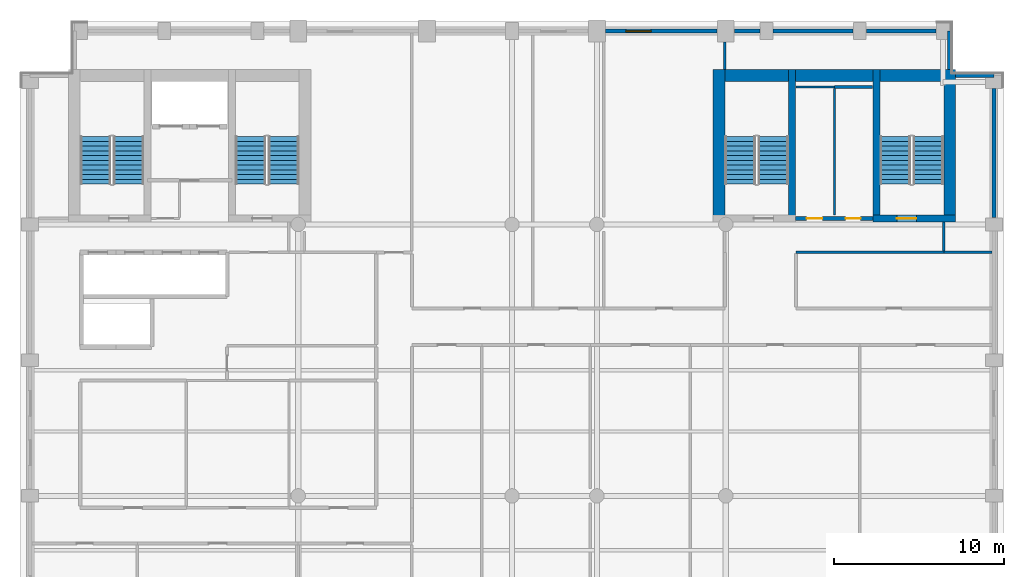
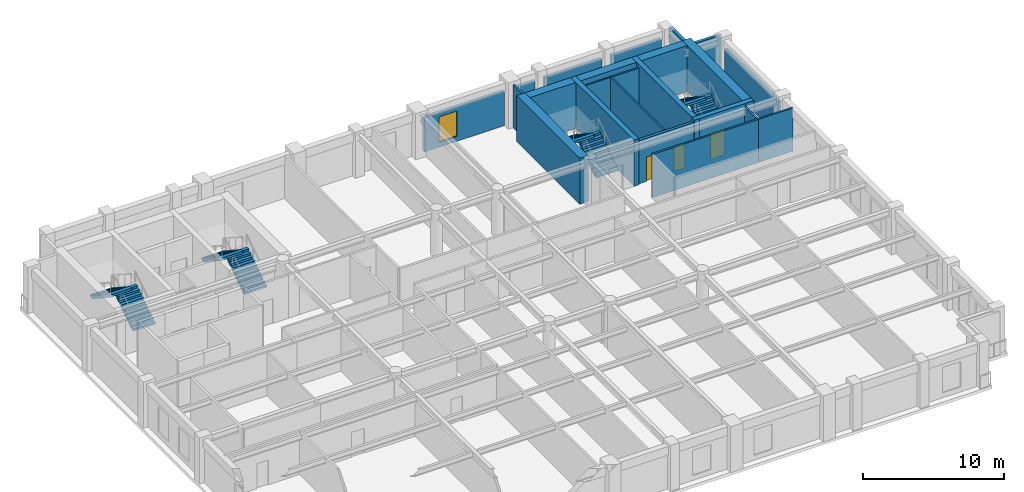
# One storey, part 6 of 9: 21 walls, 8 stair flights, 3 doors, 1 window, 4 openings, 4 elements without a shape of their own.
"""IFC4 building model written with IfcOpenShell, lengths in metres."""

from ifc_helpers import new_model, si_unit, direction, frame, frame_2d, origin, place, context, subcontext, project, spatial, polyline, rectangle, outline, extrude, material, layer, layer_set, type_object, element, fill, aggregate, save


model = new_model("IFC4")

# Units and contexts
model_context = context("Model", 3, precision=1e-05, world=origin(), true_north=direction((0.0, 1.0)))
body_context = subcontext(model_context, "Body", "Model", "MODEL_VIEW")
ifc_project = project(units=[si_unit("LENGTHUNIT", "METRE"), si_unit("AREAUNIT", "SQUARE_METRE"), si_unit("VOLUMEUNIT", "CUBIC_METRE"), si_unit("PLANEANGLEUNIT", "RADIAN"), si_unit("MASSUNIT", "GRAM", prefix="KILO")], contexts=[model_context])

# Site, building, storey
site_placement = place(None, origin())
site = spatial("IfcSite", under=ifc_project, at=site_placement, CompositionType="ELEMENT")
building_placement = place(site_placement, origin())
building = spatial("IfcBuilding", under=site, at=building_placement, Name="Sulina Concourse Tower", CompositionType="ELEMENT")
storey_placement = place(building_placement, frame((0.0, 0.0, 268.60009765625)))
storey = spatial("IfcBuildingStorey", under=building, at=storey_placement, Name="L65", CompositionType="ELEMENT", Elevation=268.60009765625)

# Wall, opening, window
ifc_material_1 = material(Name="Precast concrete C50/60", Category="concrete")
ifc_layer_1 = layer(ifc_material_1, 0.239990234375)
ifc_layer_set_1 = layer_set([ifc_layer_1], Name="Precast concrete C50/60")
wall_type_1 = type_object("IfcWallType", Name="Crown Precast Masonry-Frame Facade Wall 240mm", PredefinedType="SOLIDWALL", material=ifc_layer_set_1)
wall_1_placement = place(storey_placement, frame((34.52001953125, 45.39990234375, 0.0), z_axis=(0.0, 0.0, 1.0), x_axis=(1.0, 0.0, 0.0)))
wall_1 = element("IfcWall", 1, at=wall_1_placement, inside=storey, type_object=wall_type_1, Name="L65 exterior precast wall N7", PredefinedType="SOLIDWALL", context=body_context, shape_type="SweptSolid", body=[
    extrude(rectangle(XDim=6.56005859375, YDim=0.239990234375, at=frame_2d((3.280029296875, 0.0))), origin(), (0.0, 0.0, 1.0), 3.0),
])
opening_1_placement = place(wall_1_placement, frame((1.186767578125, 0.0, 0.419921875)))
opening_1 = element("IfcOpeningElement", 2, at=opening_1_placement, cuts=wall_1, Name="Opening WN-71", PredefinedType="OPENING", context=body_context, shape_type="SweptSolid", body=[
    extrude(rectangle(XDim=1.5, YDim=2.199951171875, at=frame_2d((0.75, 1.10009765625))), frame((0.0, 0.1298828125, 0.0), z_axis=(0.0, -1.0, 0.0), x_axis=(1.0, 0.0, 0.0)), (0.0, 0.0, 1.0), 0.260009765625),
])
ifc_material_2 = material(Name="Low-E solar double glazing in bronze aluminium", Category="aluminium")
window_type = type_object("IfcWindowType", Name="Punched Masonry-Frame Window 1500x2200", PartitioningType="SINGLE_PANEL", PredefinedType="WINDOW", material=ifc_material_2)
window_placement = place(opening_1_placement, origin())
window = element("IfcWindow", 3, at=window_placement, inside=storey, type_object=window_type, Name="L65 punched window N7-1", OverallHeight=2.199951171875, OverallWidth=1.5, PartitioningType="SINGLE_PANEL", PredefinedType="WINDOW", context=body_context, shape_type="SweptSolid", body=[
    extrude(rectangle(XDim=1.5, YDim=2.199951171875, at=frame_2d((0.75, 1.10009765625))), frame((0.0, 0.030029296875, 0.0), z_axis=(0.0, -1.0, 0.0), x_axis=(1.0, 0.0, 0.0)), (0.0, 0.0, 1.0), 0.06005859375),
])
fill(opening_1, window)

# Walls
wall_2_placement = place(storey_placement, frame((42.1201171875, 45.39990234375, 0.0), z_axis=(0.0, 0.0, 1.0), x_axis=(1.0, 0.0, 0.0)))
element("IfcWall", 4, at=wall_2_placement, inside=storey, type_object=wall_type_1, Name="L65 exterior precast wall N8", PredefinedType="SOLIDWALL", context=body_context, shape_type="SweptSolid", body=[
    extrude(rectangle(XDim=1.48486328125, YDim=0.239990234375, at=frame_2d((0.742431640625, 0.0))), origin(), (0.0, 0.0, 1.0), 3.0),
])
wall_3_placement = place(storey_placement, frame((44.39501953125, 45.39990234375, 0.0), z_axis=(0.0, 0.0, 1.0), x_axis=(1.0, 0.0, 0.0)))
element("IfcWall", 5, at=wall_3_placement, inside=storey, type_object=wall_type_1, Name="L65 exterior precast wall N9", PredefinedType="SOLIDWALL", context=body_context, shape_type="SweptSolid", body=[
    extrude(rectangle(XDim=4.7099609375, YDim=0.239990234375, at=frame_2d((2.35498046875, 0.0))), origin(), (0.0, 0.0, 1.0), 3.0),
])
wall_4_placement = place(storey_placement, frame((49.89501953125, 45.39990234375, 0.0), z_axis=(0.0, 0.0, 1.0), x_axis=(1.0, 0.0, 0.0)))
element("IfcWall", 6, at=wall_4_placement, inside=storey, type_object=wall_type_1, Name="L65 exterior precast wall N10", PredefinedType="SOLIDWALL", context=body_context, shape_type="SweptSolid", body=[
    extrude(rectangle(XDim=4.10986328125, YDim=0.239990234375, at=frame_2d((2.054931640625, 0.0))), origin(), (0.0, 0.0, 1.0), 3.0),
])
wall_5_placement = place(storey_placement, frame((57.39990234375, 42.0048828125, 0.0), z_axis=(0.0, 0.0, 1.0), x_axis=(0.0, -1.0, 0.0)))
element("IfcWall", 7, at=wall_5_placement, inside=storey, type_object=wall_type_1, Name="L65 exterior precast wall E5", PredefinedType="SOLIDWALL", context=body_context, shape_type="SweptSolid", body=[
    extrude(rectangle(XDim=7.60986328125, YDim=0.239990234375, at=frame_2d((3.804931640625, 0.0))), origin(), (0.0, 0.0, 1.0), 3.0),
])
wall_6_placement = place(storey_placement, frame((54.794921875, 45.39990234375, 0.0), z_axis=(0.0, 0.0, 1.0), x_axis=(0.0, -1.0, 0.0)))
element("IfcWall", 8, at=wall_6_placement, inside=storey, type_object=wall_type_1, Name="L65 exterior precast wall CNE1", PredefinedType="SOLIDWALL", context=body_context, shape_type="SweptSolid", body=[
    extrude(rectangle(XDim=2.264892578125, YDim=0.239990234375, at=frame_2d((1.13232421875, 0.0))), origin(), (0.0, 0.0, 1.0), 3.75),
])
wall_7_placement = place(storey_placement, frame((55.155029296875, 42.794921875, 0.0), z_axis=(0.0, 0.0, 1.0), x_axis=(1.0, 0.0, 0.0)))
element("IfcWall", 9, at=wall_7_placement, inside=storey, type_object=wall_type_1, Name="L65 exterior precast wall CNE2", PredefinedType="SOLIDWALL", context=body_context, shape_type="SweptSolid", body=[
    extrude(rectangle(XDim=2.244873046875, YDim=0.239990234375, at=frame_2d((1.12255859375, 0.0))), origin(), (0.0, 0.0, 1.0), 3.75),
])

# Wall, openings, doors
ifc_material_3 = material(Name="Gypsum board on steel stud", Category="steel")
ifc_layer_2 = layer(ifc_material_3, 0.219970703125)
ifc_layer_set_2 = layer_set([ifc_layer_2], Name="Gypsum board on steel stud")
wall_type_2 = type_object("IfcWallType", Name="Fire-Rated Lobby & Compartment Wall 220mm", PredefinedType="PARTITIONING", material=ifc_layer_set_2)
wall_8_placement = place(storey_placement, frame((45.719970703125, 34.35009765625, 0.0), z_axis=(0.0, 0.0, 1.0), x_axis=(1.0, 0.0, 0.0)))
wall_8 = element("IfcWall", 10, at=wall_8_placement, inside=storey, type_object=wall_type_2, Name="L65 east core south lobby wall", PredefinedType="PARTITIONING", context=body_context, shape_type="SweptSolid", body=[
    extrude(rectangle(XDim=4.56005859375, YDim=0.219970703125, at=frame_2d((2.280029296875, 0.0))), origin(), (0.0, 0.0, 1.0), 3.75),
])
opening_2_placement = place(wall_8_placement, frame((0.64990234375, 0.0, 0.0)))
opening_2 = element("IfcOpeningElement", 11, at=opening_2_placement, cuts=wall_8, Name="Opening DR-61", PredefinedType="OPENING", context=body_context, shape_type="SweptSolid", body=[
    extrude(rectangle(XDim=0.919921875, YDim=2.10009765625, at=frame_2d((0.4599609375, 1.050048828125))), frame((0.0, 0.119873046875, 0.0), z_axis=(0.0, -1.0, 0.0), x_axis=(1.0, 0.0, 0.0)), (0.0, 0.0, 1.0), 0.239990234375),
])
opening_3_placement = place(wall_8_placement, frame((2.949951171875, 0.0, 0.0)))
opening_3 = element("IfcOpeningElement", 12, at=opening_3_placement, cuts=wall_8, Name="Opening DR-38", PredefinedType="OPENING", context=body_context, shape_type="SweptSolid", body=[
    extrude(rectangle(XDim=0.8798828125, YDim=2.10009765625, at=frame_2d((0.43994140625, 1.050048828125))), frame((0.0, 0.119873046875, 0.0), z_axis=(0.0, -1.0, 0.0), x_axis=(1.0, 0.0, 0.0)), (0.0, 0.0, 1.0), 0.239990234375),
])
ifc_material_4 = material(Name="Oak-veneered fire door leaf")
ifc_layer_3 = layer(ifc_material_4, 0.050048828125)
ifc_layer_set_3 = layer_set([ifc_layer_3], Name="Oak-veneered fire door leaf")
door_type_1 = type_object("IfcDoorType", Name="Accessible WC Door 920x2100", OperationType="NOTDEFINED", PredefinedType="DOOR", material=ifc_layer_set_3)
door_1_placement = place(opening_2_placement, origin())
door_1 = element("IfcDoor", 13, at=door_1_placement, inside=storey, type_object=door_type_1, Name="L65 east core accessible wc door", OperationType="SINGLE_SWING_RIGHT", OverallHeight=2.10009765625, OverallWidth=0.919921875, PredefinedType="DOOR", context=body_context, shape_type="SweptSolid", body=[
    extrude(rectangle(XDim=0.919921875, YDim=2.10009765625, at=frame_2d((0.4599609375, 1.050048828125))), frame((0.0, 0.02490234375, 0.0), z_axis=(0.0, -1.0, 0.0), x_axis=(1.0, 0.0, 0.0)), (0.0, 0.0, 1.0), 0.050048828125),
])
fill(opening_2, door_1)
ifc_material_5 = material(Name="Galvanised steel acoustic fire leaf", Category="steel")
ifc_layer_4 = layer(ifc_material_5, 0.050048828125)
ifc_layer_set_4 = layer_set([ifc_layer_4], Name="Galvanised steel acoustic fire leaf")
door_type_2 = type_object("IfcDoorType", Name="Service Riser Fire Door 880x2100", OperationType="NOTDEFINED", PredefinedType="DOOR", material=ifc_layer_set_4)
door_2_placement = place(opening_3_placement, origin())
door_2 = element("IfcDoor", 14, at=door_2_placement, inside=storey, type_object=door_type_2, Name="L65 east core store door", OperationType="SINGLE_SWING_LEFT", OverallHeight=2.10009765625, OverallWidth=0.8798828125, PredefinedType="DOOR", context=body_context, shape_type="SweptSolid", body=[
    extrude(rectangle(XDim=0.8798828125, YDim=2.10009765625, at=frame_2d((0.43994140625, 1.050048828125))), frame((0.0, 0.02490234375, 0.0), z_axis=(0.0, -1.0, 0.0), x_axis=(1.0, 0.0, 0.0)), (0.0, 0.0, 1.0), 0.050048828125),
])
fill(opening_3, door_2)

# Walls
ifc_material_6 = material(Name="Gypsum board on steel stud", Category="steel")
ifc_layer_5 = layer(ifc_material_6, 0.14990234375)
ifc_layer_set_5 = layer_set([ifc_layer_5], Name="Gypsum board on steel stud")
wall_type_3 = type_object("IfcWallType", Name="Inter-Tenancy Acoustic Partition 150mm", PredefinedType="PARTITIONING", material=ifc_layer_set_5)
wall_9_placement = place(storey_placement, frame((45.75, 32.35009765625, 0.0), z_axis=(0.0, 0.0, 1.0), x_axis=(1.0, 0.0, 0.0)))
element("IfcWall", 15, at=wall_9_placement, inside=storey, type_object=wall_type_3, Name="L65 interior partition 025", PredefinedType="PARTITIONING", context=body_context, shape_type="SweptSolid", body=[
    extrude(rectangle(XDim=8.699951171875, YDim=0.14990234375, at=frame_2d((4.35009765625, 0.0))), origin(), (0.0, 0.0, 1.0), 3.75),
])
wall_10_placement = place(storey_placement, frame((54.449951171875, 32.35009765625, 0.0), z_axis=(0.0, 0.0, 1.0), x_axis=(1.0, 0.0, 0.0)))
element("IfcWall", 16, at=wall_10_placement, inside=storey, type_object=wall_type_3, Name="L65 interior partition 026", PredefinedType="PARTITIONING", context=body_context, shape_type="SweptSolid", body=[
    extrude(rectangle(XDim=2.830078125, YDim=0.14990234375, at=frame_2d((1.4150390625, 0.0))), origin(), (0.0, 0.0, 1.0), 3.75),
])
wall_11_placement = place(storey_placement, frame((48.0, 42.10009765625, 0.0), z_axis=(0.0, 0.0, 1.0), x_axis=(1.0, 0.0, 0.0)))
element("IfcWall", 17, at=wall_11_placement, inside=storey, type_object=wall_type_3, Name="L65 interior partition 030", PredefinedType="PARTITIONING", context=body_context, shape_type="SweptSolid", body=[
    extrude(rectangle(XDim=2.25, YDim=0.14990234375, at=frame_2d((1.125, 0.0))), origin(), (0.0, 0.0, 1.0), 3.75),
])
wall_12_placement = place(storey_placement, frame((41.550048828125, 43.1298828125, 0.0), z_axis=(0.0, 0.0, 1.0), x_axis=(0.0, 1.0, 0.0)))
element("IfcWall", 18, at=wall_12_placement, inside=storey, type_object=wall_type_3, Name="L65 interior partition 057", PredefinedType="PARTITIONING", context=body_context, shape_type="SweptSolid", body=[
    extrude(rectangle(XDim=1.6201171875, YDim=0.14990234375, at=frame_2d((0.81005859375, 0.0))), origin(), (0.0, 0.0, 1.0), 3.75),
])
wall_13_placement = place(storey_placement, frame((54.449951171875, 32.425048828125, 0.0), z_axis=(0.0, 0.0, 1.0), x_axis=(0.0, 1.0, 0.0)))
element("IfcWall", 19, at=wall_13_placement, inside=storey, type_object=wall_type_3, Name="L65 interior partition 061", PredefinedType="PARTITIONING", context=body_context, shape_type="SweptSolid", body=[
    extrude(rectangle(XDim=1.724853515625, YDim=0.14990234375, at=frame_2d((0.8623046875, 0.0))), origin(), (0.0, 0.0, 1.0), 3.75),
])
ifc_material_7 = material(Name="Concrete C60/75", Category="concrete")
ifc_layer_6 = layer(ifc_material_7, 0.39990234375)
ifc_layer_set_6 = layer_set([ifc_layer_6], Name="Concrete C60/75")
wall_type_4 = type_object("IfcWallType", Name="Protected Stair Core Shear Wall 400mm", PredefinedType="SHEAR", material=ifc_layer_set_6)
wall_14_placement = place(storey_placement, frame((45.510009765625, 34.14990234375, 0.0), z_axis=(0.0, 0.0, 1.0), x_axis=(0.0, 1.0, 0.0)))
element("IfcWall", 20, at=wall_14_placement, inside=storey, type_object=wall_type_4, Name="L65 east core shear wall SW-ST3", PredefinedType="SHEAR", context=body_context, shape_type="SweptSolid", body=[
    extrude(rectangle(XDim=8.97998046875, YDim=0.39990234375, at=frame_2d((4.489990234375, 0.0))), origin(), (0.0, 0.0, 1.0), 4.0),
])

# Wall, opening, door
wall_15_placement = place(storey_placement, frame((50.2900390625, 34.35009765625, 0.0), z_axis=(0.0, 0.0, 1.0), x_axis=(1.0, 0.0, 0.0)))
wall_15 = element("IfcWall", 21, at=wall_15_placement, inside=storey, type_object=wall_type_4, Name="L65 east core shear wall CW-ES2", PredefinedType="SHEAR", context=body_context, shape_type="SweptSolid", body=[
    extrude(rectangle(XDim=4.85986328125, YDim=0.39990234375, at=frame_2d((2.429931640625, 0.0))), origin(), (0.0, 0.0, 1.0), 4.0),
])
opening_4_placement = place(wall_15_placement, frame((1.39990234375, 0.0, 0.0)))
opening_4 = element("IfcOpeningElement", 22, at=opening_4_placement, cuts=wall_15, Name="Opening DR-60", PredefinedType="OPENING", context=body_context, shape_type="SweptSolid", body=[
    extrude(rectangle(XDim=1.14990234375, YDim=2.199951171875, at=frame_2d((0.574951171875, 1.10009765625))), frame((0.0, 0.2099609375, 0.0), z_axis=(0.0, -1.0, 0.0), x_axis=(1.0, 0.0, 0.0)), (0.0, 0.0, 1.0), 0.419921875),
])
ifc_material_8 = material(Name="Galvanised steel acoustic fire leaf", Category="steel")
ifc_layer_7 = layer(ifc_material_8, 0.054931640625)
ifc_layer_set_7 = layer_set([ifc_layer_7], Name="Galvanised steel acoustic fire leaf")
door_type_3 = type_object("IfcDoorType", Name="Protected Exit Stair Fire Door 1150x2200", OperationType="NOTDEFINED", PredefinedType="DOOR", material=ifc_layer_set_7)
door_3_placement = place(opening_4_placement, origin())
door_3 = element("IfcDoor", 23, at=door_3_placement, inside=storey, type_object=door_type_3, Name="L65 stair ST-4 south lobby fire door", OperationType="SINGLE_SWING_RIGHT", OverallHeight=2.199951171875, OverallWidth=1.14990234375, PredefinedType="DOOR", context=body_context, shape_type="SweptSolid", body=[
    extrude(rectangle(XDim=1.14990234375, YDim=2.199951171875, at=frame_2d((0.574951171875, 1.10009765625))), frame((0.0, 0.02490234375, 0.0), z_axis=(0.0, -1.0, 0.0), x_axis=(1.0, 0.0, 0.0)), (0.0, 0.0, 1.0), 0.050048828125),
])
fill(opening_4, door_3)

# Walls
wall_16_placement = place(storey_placement, frame((50.489990234375, 34.14990234375, 0.0), z_axis=(0.0, 0.0, 1.0), x_axis=(0.0, 1.0, 0.0)))
element("IfcWall", 24, at=wall_16_placement, inside=storey, type_object=wall_type_4, Name="L65 east core shear wall SW-ST4", PredefinedType="SHEAR", context=body_context, shape_type="SweptSolid", body=[
    extrude(rectangle(XDim=8.97998046875, YDim=0.39990234375, at=frame_2d((4.489990234375, 0.0))), origin(), (0.0, 0.0, 1.0), 4.0),
])
ifc_material_9 = material(Name="Concrete C60/75", Category="concrete")
ifc_layer_8 = layer(ifc_material_9, 0.699951171875)
ifc_layer_set_8 = layer_set([ifc_layer_8], Name="Concrete C60/75")
wall_type_5 = type_object("IfcWallType", Name="Rear Core Shear Wall 700mm", PredefinedType="SHEAR", material=ifc_layer_set_8)
wall_17_placement = place(storey_placement, frame((40.85009765625, 42.780029296875, 0.0), z_axis=(0.0, 0.0, 1.0), x_axis=(1.0, 0.0, 0.0)))
element("IfcWall", 25, at=wall_17_placement, inside=storey, type_object=wall_type_5, Name="L65 east core shear wall CW-EN", PredefinedType="SHEAR", context=body_context, shape_type="SweptSolid", body=[
    extrude(rectangle(XDim=14.2998046875, YDim=0.699951171875, at=frame_2d((7.14990234375, 0.0))), origin(), (0.0, 0.0, 1.0), 4.0),
])
for number, where, z_axis, x_axis, name in (
    (26, (41.199951171875, 34.14990234375, 0.0), (0.0, 0.0, 1.0), (0.0, 1.0, 0.0), "L65 east core shear wall CW-EW"),
    (27, (54.800048828125, 34.14990234375, 0.0), (0.0, 0.0, 1.0), (0.0, 1.0, 0.0), "L65 east core shear wall CW-EE"),
):
    element("IfcWall", number, at=place(storey_placement, frame(where, z_axis=z_axis, x_axis=x_axis)), inside=storey, type_object=wall_type_5, Name=name, PredefinedType="SHEAR", context=body_context, shape_type="SweptSolid", body=[
        extrude(rectangle(XDim=8.97998046875, YDim=0.699951171875, at=frame_2d((4.489990234375, 0.0))), origin(), (0.0, 0.0, 1.0), 4.0),
    ])
ifc_material_10 = material(Name="Gypsum board on steel stud", Category="steel")
ifc_layer_9 = layer(ifc_material_10, 0.125)
ifc_layer_set_9 = layer_set([ifc_layer_9], Name="Gypsum board on steel stud")
wall_type_6 = type_object("IfcWallType", Name="Wet-Area Moisture-Resistant Partition 125mm", PredefinedType="PARTITIONING", material=ifc_layer_set_9)
wall_18_placement = place(storey_placement, frame((45.75, 42.10009765625, 0.0), z_axis=(0.0, 0.0, 1.0), x_axis=(1.0, 0.0, 0.0)))
element("IfcWall", 28, at=wall_18_placement, inside=storey, type_object=wall_type_6, Name="L65 interior partition 029", PredefinedType="PARTITIONING", context=body_context, shape_type="SweptSolid", body=[
    extrude(rectangle(XDim=2.25, YDim=0.125, at=frame_2d((1.125, 0.0))), origin(), (0.0, 0.0, 1.0), 3.75),
])
wall_19_placement = place(storey_placement, frame((48.0, 34.550048828125, 0.0), z_axis=(0.0, 0.0, 1.0), x_axis=(0.0, 1.0, 0.0)))
element("IfcWall", 29, at=wall_19_placement, inside=storey, type_object=wall_type_6, Name="L65 interior partition 059", PredefinedType="PARTITIONING", context=body_context, shape_type="SweptSolid", body=[
    extrude(rectangle(XDim=7.474853515625, YDim=0.125, at=frame_2d((3.7373046875, 0.0))), origin(), (0.0, 0.0, 1.0), 3.75),
])

# Stair, stair flights
ifc_material_11 = material(Name="Concrete C50/60", Category="concrete")
stair_type_1 = type_object("IfcStairType", Name="Portal & Podium Core Exit Stair 1820mm", PredefinedType="HALF_TURN_STAIR", material=ifc_material_11)
stair_1_placement = place(storey_placement, origin())
stair_1 = element("IfcStair", 30, at=stair_1_placement, inside=storey, type_object=stair_type_1, Name="L65 ST-3", PredefinedType="HALF_TURN_STAIR")
ifc_material_12 = material(Name="Concrete C50/60", Category="concrete")
stair_flight_type_1 = type_object("IfcStairFlightType", Name="Portal & Podium Core Exit Stair 1820mm Flight", PredefinedType="STRAIGHT", material=ifc_material_12)
stair_flight_1_placement = place(storey_placement, frame((44.405029296875, 36.375, 0.0), z_axis=(0.0, 0.0, 1.0), x_axis=(0.0, 1.0, 0.0)))
stair_flight_1 = element("IfcStairFlight", 31, at=stair_flight_1_placement, type_object=stair_flight_type_1, Name="ST-3 flight 1", NumberOfRisers=11, NumberOfTreads=10, PredefinedType="STRAIGHT", RiserHeight=0.181818182, TreadLength=0.28, context=body_context, shape_type="SweptSolid", body=[
    extrude(outline(polyline([(0.0, 0.0), (0.0, 0.181884765625), (0.280029296875, 0.181884765625), (0.280029296875, 0.363525390625), (0.56005859375, 0.363525390625), (0.56005859375, 0.54541015625), (0.840087890625, 0.54541015625), (0.840087890625, 0.727294921875), (1.1201171875, 0.727294921875), (1.1201171875, 0.9091796875), (1.39990234375, 0.9091796875), (1.39990234375, 1.0908203125), (1.679931640625, 1.0908203125), (1.679931640625, 1.272705078125), (1.9599609375, 1.272705078125), (1.9599609375, 1.45458984375), (2.239990234375, 1.45458984375), (2.239990234375, 1.636474609375), (2.52001953125, 1.636474609375), (2.52001953125, 1.818115234375), (2.800048828125, 1.818115234375), (2.800048828125, 2.0), (2.800048828125, 1.603759765625), (0.330322265625, 0.0), (0.0, 0.0)])), frame((0.0, 0.89990234375, 0.0), z_axis=(0.0, -1.0, 0.0), x_axis=(1.0, 0.0, 0.0)), (0.0, 0.0, 1.0), 1.800048828125),
])
stair_flight_2_placement = place(storey_placement, frame((42.455078125, 39.175048828125, 2.0), z_axis=(0.0, 0.0, 1.0), x_axis=(0.0, -1.0, 0.0)))
stair_flight_2 = element("IfcStairFlight", 32, at=stair_flight_2_placement, type_object=stair_flight_type_1, Name="ST-3 flight 2", NumberOfRisers=11, NumberOfTreads=10, PredefinedType="STRAIGHT", RiserHeight=0.181818182, TreadLength=0.28, context=body_context, shape_type="SweptSolid", body=[
    extrude(outline(polyline([(0.0, 0.0), (0.0, 0.181884765625), (0.280029296875, 0.181884765625), (0.280029296875, 0.363525390625), (0.56005859375, 0.363525390625), (0.56005859375, 0.54541015625), (0.840087890625, 0.54541015625), (0.840087890625, 0.727294921875), (1.1201171875, 0.727294921875), (1.1201171875, 0.9091796875), (1.39990234375, 0.9091796875), (1.39990234375, 1.0908203125), (1.679931640625, 1.0908203125), (1.679931640625, 1.272705078125), (1.9599609375, 1.272705078125), (1.9599609375, 1.45458984375), (2.239990234375, 1.45458984375), (2.239990234375, 1.636474609375), (2.52001953125, 1.636474609375), (2.52001953125, 1.818115234375), (2.800048828125, 1.818115234375), (2.800048828125, 2.0), (2.800048828125, 1.603759765625), (0.330322265625, 0.0), (0.0, 0.0)])), frame((0.0, 0.89990234375, 0.0), z_axis=(0.0, -1.0, 0.0), x_axis=(1.0, 0.0, 0.0)), (0.0, 0.0, 1.0), 1.800048828125),
])
aggregate(stair_1, [stair_flight_1, stair_flight_2])

stair_2_placement = place(storey_placement, origin())
stair_2 = element("IfcStair", 33, at=stair_2_placement, inside=storey, type_object=stair_type_1, Name="L65 ST-4", PredefinedType="HALF_TURN_STAIR")
stair_flight_3_placement = place(storey_placement, frame((53.544921875, 36.375, 0.0), z_axis=(0.0, 0.0, 1.0), x_axis=(0.0, 1.0, 0.0)))
stair_flight_3 = element("IfcStairFlight", 34, at=stair_flight_3_placement, type_object=stair_flight_type_1, Name="ST-4 flight 1", NumberOfRisers=11, NumberOfTreads=10, PredefinedType="STRAIGHT", RiserHeight=0.181818182, TreadLength=0.28, context=body_context, shape_type="SweptSolid", body=[
    extrude(outline(polyline([(0.0, 0.0), (0.0, 0.181884765625), (0.280029296875, 0.181884765625), (0.280029296875, 0.363525390625), (0.56005859375, 0.363525390625), (0.56005859375, 0.54541015625), (0.840087890625, 0.54541015625), (0.840087890625, 0.727294921875), (1.1201171875, 0.727294921875), (1.1201171875, 0.9091796875), (1.39990234375, 0.9091796875), (1.39990234375, 1.0908203125), (1.679931640625, 1.0908203125), (1.679931640625, 1.272705078125), (1.9599609375, 1.272705078125), (1.9599609375, 1.45458984375), (2.239990234375, 1.45458984375), (2.239990234375, 1.636474609375), (2.52001953125, 1.636474609375), (2.52001953125, 1.818115234375), (2.800048828125, 1.818115234375), (2.800048828125, 2.0), (2.800048828125, 1.603759765625), (0.330322265625, 0.0), (0.0, 0.0)])), frame((0.0, 0.89990234375, 0.0), z_axis=(0.0, -1.0, 0.0), x_axis=(1.0, 0.0, 0.0)), (0.0, 0.0, 1.0), 1.800048828125),
])
stair_flight_4_placement = place(storey_placement, frame((51.594970703125, 39.175048828125, 2.0), z_axis=(0.0, 0.0, 1.0), x_axis=(0.0, -1.0, 0.0)))
stair_flight_4 = element("IfcStairFlight", 35, at=stair_flight_4_placement, type_object=stair_flight_type_1, Name="ST-4 flight 2", NumberOfRisers=11, NumberOfTreads=10, PredefinedType="STRAIGHT", RiserHeight=0.181818182, TreadLength=0.28, context=body_context, shape_type="SweptSolid", body=[
    extrude(outline(polyline([(0.0, 0.0), (0.0, 0.181884765625), (0.280029296875, 0.181884765625), (0.280029296875, 0.363525390625), (0.56005859375, 0.363525390625), (0.56005859375, 0.54541015625), (0.840087890625, 0.54541015625), (0.840087890625, 0.727294921875), (1.1201171875, 0.727294921875), (1.1201171875, 0.9091796875), (1.39990234375, 0.9091796875), (1.39990234375, 1.0908203125), (1.679931640625, 1.0908203125), (1.679931640625, 1.272705078125), (1.9599609375, 1.272705078125), (1.9599609375, 1.45458984375), (2.239990234375, 1.45458984375), (2.239990234375, 1.636474609375), (2.52001953125, 1.636474609375), (2.52001953125, 1.818115234375), (2.800048828125, 1.818115234375), (2.800048828125, 2.0), (2.800048828125, 1.603759765625), (0.330322265625, 0.0), (0.0, 0.0)])), frame((0.0, 0.89990234375, 0.0), z_axis=(0.0, -1.0, 0.0), x_axis=(1.0, 0.0, 0.0)), (0.0, 0.0, 1.0), 1.800048828125),
])
aggregate(stair_2, [stair_flight_3, stair_flight_4])

ifc_material_13 = material(Name="Concrete C50/60", Category="concrete")
stair_type_2 = type_object("IfcStairType", Name="Primary Core Dog-Leg Exit Stair 1800mm", PredefinedType="HALF_TURN_STAIR", material=ifc_material_13)
stair_3_placement = place(storey_placement, origin())
stair_3 = element("IfcStair", 36, at=stair_3_placement, inside=storey, type_object=stair_type_2, Name="L65 ST-1", PredefinedType="HALF_TURN_STAIR")
ifc_material_14 = material(Name="Concrete C50/60", Category="concrete")
stair_flight_type_2 = type_object("IfcStairFlightType", Name="Primary Core Dog-Leg Exit Stair 1800mm Flight", PredefinedType="STRAIGHT", material=ifc_material_14)
stair_flight_5_placement = place(storey_placement, frame((6.405029296875, 36.375, 0.0), z_axis=(0.0, 0.0, 1.0), x_axis=(0.0, 1.0, 0.0)))
stair_flight_5 = element("IfcStairFlight", 37, at=stair_flight_5_placement, type_object=stair_flight_type_2, Name="ST-1 flight 1", NumberOfRisers=11, NumberOfTreads=10, PredefinedType="STRAIGHT", RiserHeight=0.181818182, TreadLength=0.28, context=body_context, shape_type="SweptSolid", body=[
    extrude(outline(polyline([(0.0, 0.0), (0.0, 0.181884765625), (0.280029296875, 0.181884765625), (0.280029296875, 0.363525390625), (0.56005859375, 0.363525390625), (0.56005859375, 0.54541015625), (0.840087890625, 0.54541015625), (0.840087890625, 0.727294921875), (1.1201171875, 0.727294921875), (1.1201171875, 0.9091796875), (1.39990234375, 0.9091796875), (1.39990234375, 1.0908203125), (1.679931640625, 1.0908203125), (1.679931640625, 1.272705078125), (1.9599609375, 1.272705078125), (1.9599609375, 1.45458984375), (2.239990234375, 1.45458984375), (2.239990234375, 1.636474609375), (2.52001953125, 1.636474609375), (2.52001953125, 1.818115234375), (2.800048828125, 1.818115234375), (2.800048828125, 2.0), (2.800048828125, 1.603759765625), (0.330322265625, 0.0), (0.0, 0.0)])), frame((0.0, 0.89990234375, 0.0), z_axis=(0.0, -1.0, 0.0), x_axis=(1.0, 0.0, 0.0)), (0.0, 0.0, 1.0), 1.800048828125),
])
stair_flight_6_placement = place(storey_placement, frame((4.455078125, 39.175048828125, 2.0), z_axis=(0.0, 0.0, 1.0), x_axis=(0.0, -1.0, 0.0)))
stair_flight_6 = element("IfcStairFlight", 38, at=stair_flight_6_placement, type_object=stair_flight_type_2, Name="ST-1 flight 2", NumberOfRisers=11, NumberOfTreads=10, PredefinedType="STRAIGHT", RiserHeight=0.181818182, TreadLength=0.28, context=body_context, shape_type="SweptSolid", body=[
    extrude(outline(polyline([(0.0, 0.0), (0.0, 0.181884765625), (0.280029296875, 0.181884765625), (0.280029296875, 0.363525390625), (0.56005859375, 0.363525390625), (0.56005859375, 0.54541015625), (0.840087890625, 0.54541015625), (0.840087890625, 0.727294921875), (1.1201171875, 0.727294921875), (1.1201171875, 0.9091796875), (1.39990234375, 0.9091796875), (1.39990234375, 1.0908203125), (1.679931640625, 1.0908203125), (1.679931640625, 1.272705078125), (1.9599609375, 1.272705078125), (1.9599609375, 1.45458984375), (2.239990234375, 1.45458984375), (2.239990234375, 1.636474609375), (2.52001953125, 1.636474609375), (2.52001953125, 1.818115234375), (2.800048828125, 1.818115234375), (2.800048828125, 2.0), (2.800048828125, 1.603759765625), (0.330322265625, 0.0), (0.0, 0.0)])), frame((0.0, 0.89990234375, 0.0), z_axis=(0.0, -1.0, 0.0), x_axis=(1.0, 0.0, 0.0)), (0.0, 0.0, 1.0), 1.800048828125),
])
aggregate(stair_3, [stair_flight_5, stair_flight_6])

stair_4_placement = place(storey_placement, origin())
stair_4 = element("IfcStair", 39, at=stair_4_placement, inside=storey, type_object=stair_type_2, Name="L65 ST-2", PredefinedType="HALF_TURN_STAIR")
stair_flight_7_placement = place(storey_placement, frame((15.544921875, 36.375, 0.0), z_axis=(0.0, 0.0, 1.0), x_axis=(0.0, 1.0, 0.0)))
stair_flight_7 = element("IfcStairFlight", 40, at=stair_flight_7_placement, type_object=stair_flight_type_2, Name="ST-2 flight 1", NumberOfRisers=11, NumberOfTreads=10, PredefinedType="STRAIGHT", RiserHeight=0.181818182, TreadLength=0.28, context=body_context, shape_type="SweptSolid", body=[
    extrude(outline(polyline([(0.0, 0.0), (0.0, 0.181884765625), (0.280029296875, 0.181884765625), (0.280029296875, 0.363525390625), (0.56005859375, 0.363525390625), (0.56005859375, 0.54541015625), (0.840087890625, 0.54541015625), (0.840087890625, 0.727294921875), (1.1201171875, 0.727294921875), (1.1201171875, 0.9091796875), (1.39990234375, 0.9091796875), (1.39990234375, 1.0908203125), (1.679931640625, 1.0908203125), (1.679931640625, 1.272705078125), (1.9599609375, 1.272705078125), (1.9599609375, 1.45458984375), (2.239990234375, 1.45458984375), (2.239990234375, 1.636474609375), (2.52001953125, 1.636474609375), (2.52001953125, 1.818115234375), (2.800048828125, 1.818115234375), (2.800048828125, 2.0), (2.800048828125, 1.603759765625), (0.330322265625, 0.0), (0.0, 0.0)])), frame((0.0, 0.89990234375, 0.0), z_axis=(0.0, -1.0, 0.0), x_axis=(1.0, 0.0, 0.0)), (0.0, 0.0, 1.0), 1.800048828125),
])
stair_flight_8_placement = place(storey_placement, frame((13.594970703125, 39.175048828125, 2.0), z_axis=(0.0, 0.0, 1.0), x_axis=(0.0, -1.0, 0.0)))
stair_flight_8 = element("IfcStairFlight", 41, at=stair_flight_8_placement, type_object=stair_flight_type_2, Name="ST-2 flight 2", NumberOfRisers=11, NumberOfTreads=10, PredefinedType="STRAIGHT", RiserHeight=0.181818182, TreadLength=0.28, context=body_context, shape_type="SweptSolid", body=[
    extrude(outline(polyline([(0.0, 0.0), (0.0, 0.181884765625), (0.280029296875, 0.181884765625), (0.280029296875, 0.363525390625), (0.56005859375, 0.363525390625), (0.56005859375, 0.54541015625), (0.840087890625, 0.54541015625), (0.840087890625, 0.727294921875), (1.1201171875, 0.727294921875), (1.1201171875, 0.9091796875), (1.39990234375, 0.9091796875), (1.39990234375, 1.0908203125), (1.679931640625, 1.0908203125), (1.679931640625, 1.272705078125), (1.9599609375, 1.272705078125), (1.9599609375, 1.45458984375), (2.239990234375, 1.45458984375), (2.239990234375, 1.636474609375), (2.52001953125, 1.636474609375), (2.52001953125, 1.818115234375), (2.800048828125, 1.818115234375), (2.800048828125, 2.0), (2.800048828125, 1.603759765625), (0.330322265625, 0.0), (0.0, 0.0)])), frame((0.0, 0.89990234375, 0.0), z_axis=(0.0, -1.0, 0.0), x_axis=(1.0, 0.0, 0.0)), (0.0, 0.0, 1.0), 1.800048828125),
])
aggregate(stair_4, [stair_flight_7, stair_flight_8])

save(model, "model.ifc")
